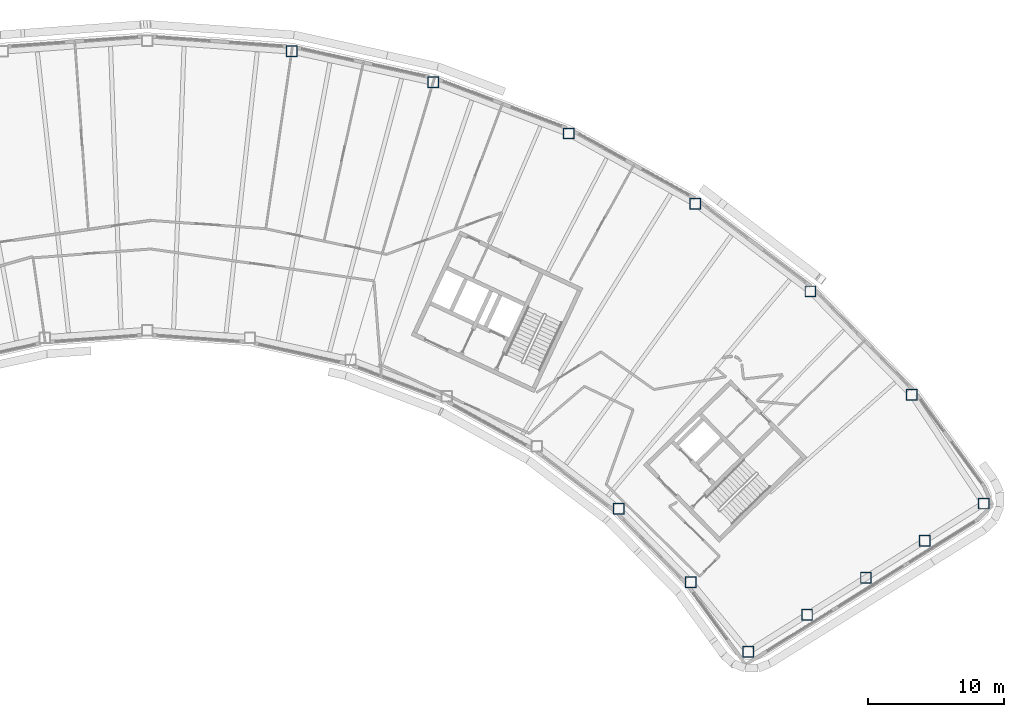
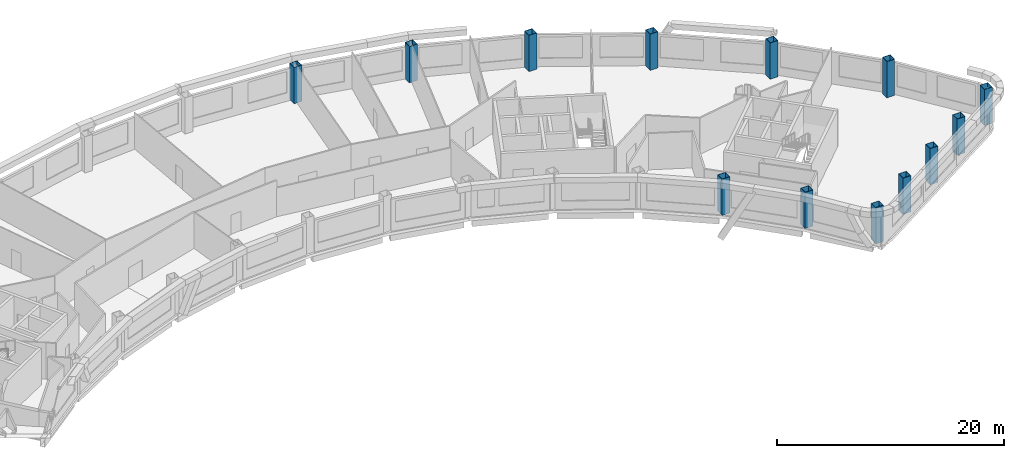
# One storey, part 2 of 13: 13 columns.
"""IFC4 building model written with IfcOpenShell, lengths in metres."""

from ifc_helpers import new_model, si_unit, direction, frame, origin, origin_2d, place, context, subcontext, project, spatial, hollow_rectangle, extrude, material, material_profile, profile_set, type_object, element, save


model = new_model("IFC4")

# Units and contexts
model_context = context("Model", 3, precision=1e-05, world=origin(), true_north=direction((0.0, 1.0)))
body_context = subcontext(model_context, "Body", "Model", "MODEL_VIEW")
ifc_project = project(units=[si_unit("LENGTHUNIT", "METRE"), si_unit("AREAUNIT", "SQUARE_METRE"), si_unit("VOLUMEUNIT", "CUBIC_METRE"), si_unit("PLANEANGLEUNIT", "RADIAN"), si_unit("MASSUNIT", "GRAM", prefix="KILO")], contexts=[model_context])

# Site, building, storey
site_placement = place(None, origin())
site = spatial("IfcSite", under=ifc_project, at=site_placement, CompositionType="ELEMENT")
building_placement = place(site_placement, origin())
building = spatial("IfcBuilding", under=site, at=building_placement, Name="Tuul Gate Civic Tower", CompositionType="ELEMENT")
storey_placement = place(building_placement, frame((0.0, 0.0, 230.5)))
storey = spatial("IfcBuildingStorey", under=building, at=storey_placement, Name="Level 52", CompositionType="ELEMENT", Elevation=230.5)

# Columns
ifc_material = material(Name="Steel S355", Category="steel")
ifc_material_profile = material_profile(ifc_material, hollow_rectangle(XDim=0.800048828125, YDim=0.800048828125, WallThickness=0.031982421875, at=origin_2d()), Name="BOX800x800x32")
ifc_profile_set = profile_set([ifc_material_profile], Name="Steel S355")
column_type = type_object("IfcColumnType", Name="STR-COLUMN-BOX800x800x32", PredefinedType="COLUMN", material=ifc_profile_set)
for number, where, z_axis, x_axis, name in (
    (1, (67.611083984375, -15.56298828125, 0.0), (0.0, 0.0, 1.0), (1.0, 0.0, 0.0), "Column"),
    (2, (62.31201171875, -7.550048828125, 0.0), (0.0, 0.0, 1.0), (1.0, 0.0, 0.0), "Column"),
    (3, (54.8369140625, 0.074951171875, 0.0), (0.0, 0.0, 1.0), (1.0, 0.0, 0.0), "Column"),
    (4, (46.342041015625, 6.54296875, 0.0), (0.0, 0.0, 1.0), (1.0, 0.0, 0.0), "Column"),
    (5, (37.0029296875, 11.718994140625, 0.0), (0.0, 0.0, 1.0), (1.0, 0.0, 0.0), "Column"),
    (6, (27.01611328125, 15.49609375, 0.0), (0.0, 0.0, 1.0), (1.0, 0.0, 0.0), "Column"),
    (7, (16.589111328125, 17.7939453125, 0.0), (0.0, 0.0, 1.0), (1.0, 0.0, 0.0), "Column"),
    (8, (40.7060546875, -15.93798828125, 0.0), (0.0, 0.0, 1.0), (1.0, 0.0, 0.0), "Column"),
    (9, (46.02099609375, -21.35888671875, 0.0), (0.0, 0.0, 1.0), (1.0, 0.0, 0.0), "Column"),
    (10, (50.240966796875, -26.5009765625, 0.0), (0.0, 0.0, 1.0), (1.0, 0.0, 0.0), "Column"),
    (11, (54.5830078125, -23.76708984375, 0.0), (0.0, 0.0, 1.0), (1.0, 0.0, 0.0), "Column"),
    (12, (58.926025390625, -21.031982421875, 0.0), (0.0, 0.0, 1.0), (1.0, 0.0, 0.0), "Column"),
    (13, (63.26806640625, -18.297119140625, 0.0), (0.0, 0.0, 1.0), (1.0, 0.0, 0.0), "Column"),
):
    element("IfcColumn", number, at=place(storey_placement, frame(where, z_axis=z_axis, x_axis=x_axis)), inside=storey, type_object=column_type, Name=name, PredefinedType="COLUMN", context=body_context, shape_type="SweptSolid", body=[
        extrude(hollow_rectangle(XDim=0.800048828125, YDim=0.800048828125, WallThickness=0.031982421875, at=origin_2d()), origin(), (0.0, 0.0, 1.0), 3.89990234375),
    ])

save(model, "model.ifc")
